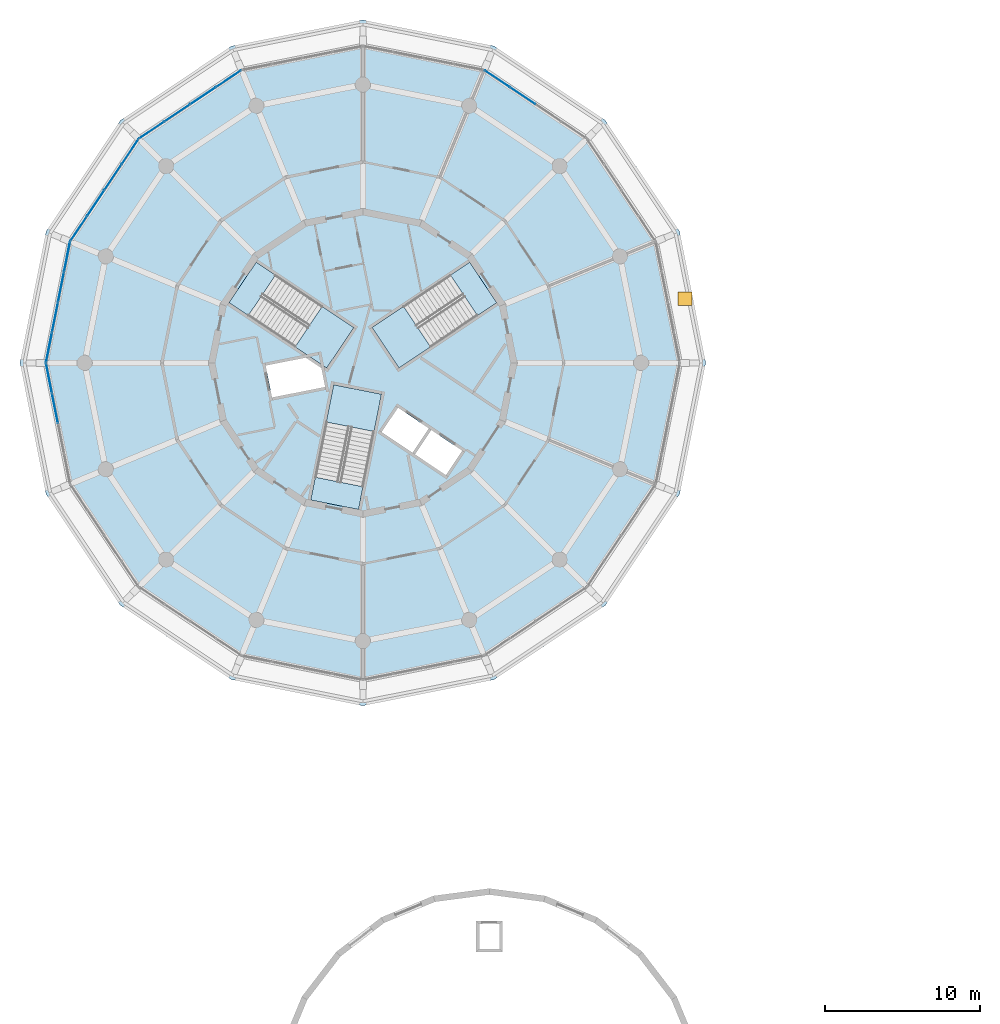
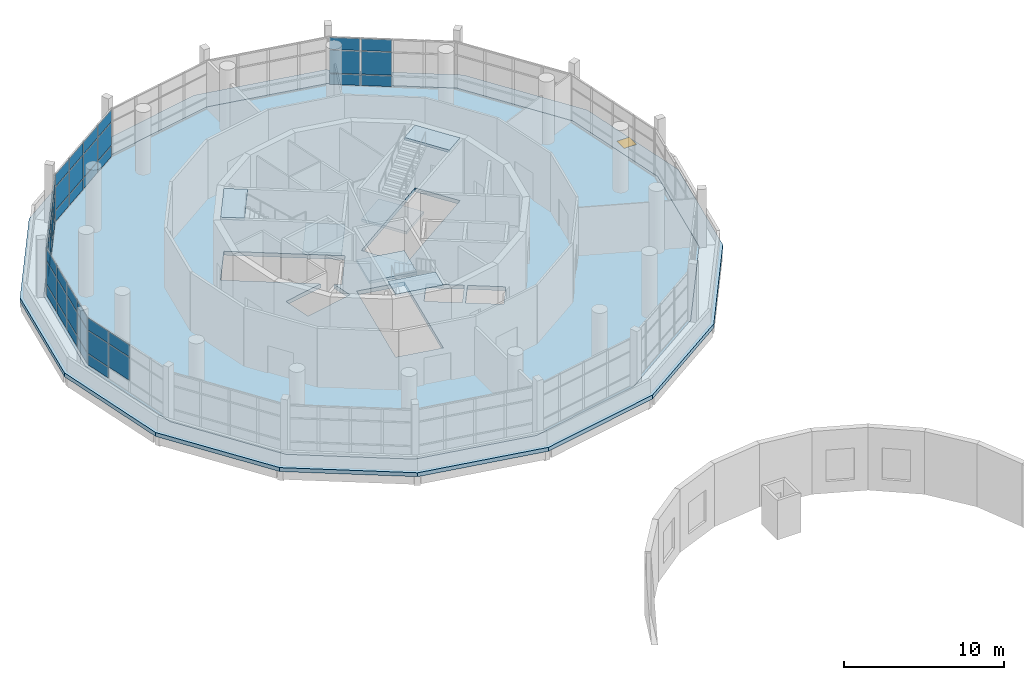
# One storey, part 19 of 40: 47 plates, 8 slabs, 1 window, 1 opening, 8 elements without a shape of their own.
"""IFC4 building model written with IfcOpenShell, lengths in metres."""

from ifc_helpers import new_model, si_unit, direction, frame, origin, origin_2d, place, context, subcontext, project, spatial, polyline, rectangle, outline, extrude, material, layer, layer_set, type_object, element, fill, aggregate, save


model = new_model("IFC4")

# Units and contexts
model_context = context("Model", 3, precision=1e-05, world=origin(), true_north=direction((0.0, 1.0)))
body_context = subcontext(model_context, "Body", "Model", "MODEL_VIEW")
ifc_project = project(units=[si_unit("LENGTHUNIT", "METRE"), si_unit("AREAUNIT", "SQUARE_METRE"), si_unit("VOLUMEUNIT", "CUBIC_METRE"), si_unit("PLANEANGLEUNIT", "RADIAN"), si_unit("MASSUNIT", "GRAM", prefix="KILO")], contexts=[model_context])

# Site, building, storey
site_placement = place(None, origin())
site = spatial("IfcSite", under=ifc_project, at=site_placement, CompositionType="ELEMENT")
building_placement = place(site_placement, origin())
building = spatial("IfcBuilding", under=site, at=building_placement, Name="Ceibo Conservatory and Research Tower", CompositionType="ELEMENT")
storey_placement = place(building_placement, frame((0.0, 0.0, 6.0)))
storey = spatial("IfcBuildingStorey", under=building, at=storey_placement, Name="L01", CompositionType="ELEMENT", Elevation=6.0)

# Stair, slabs
ifc_material_1 = material(Name="Concrete C35/45", Category="concrete")
stair_type = type_object("IfcStairType", Name="Escape stair 171 x 280", PredefinedType="HALF_TURN_STAIR", material=ifc_material_1)
stair_1_placement = place(storey_placement, origin())
stair_1 = element("IfcStair", 1, at=stair_1_placement, inside=storey, type_object=stair_type, Name="Escape stair ST1 01", PredefinedType="HALF_TURN_STAIR")
ifc_layer_1 = layer(ifc_material_1, 0.199951171875)
ifc_layer_set_1 = layer_set([ifc_layer_1], Name="Concrete C35/45")
slab_type_1 = type_object("IfcSlabType", Name="Escape stair landing", PredefinedType="LANDING", material=ifc_layer_set_1)
slab_1_placement = place(storey_placement, frame((50.632080078125, 123.65283203125, 2.199951171875), z_axis=(0.0, 0.0, 1.0), x_axis=(-0.831469612303, -0.55557023302, 0.0)))
slab_1 = element("IfcSlab", 2, at=slab_1_placement, type_object=slab_type_1, Name="ST1 landing 1", PredefinedType="LANDING", context=body_context, shape_type="SweptSolid", body=[
    extrude(outline(polyline([(0.0, 0.0), (2.4599609375, 0.0), (2.4599609375, 3.14990234375), (0.0, 3.14990234375), (0.0, 0.0)])), origin(), (0.0, 0.0, 1.0), 0.199951171875),
])
slab_2_placement = place(storey_placement, frame((54.90576171875, 126.508544921875, 4.60009765625), z_axis=(0.0, 0.0, 1.0), x_axis=(-0.831469612303, -0.55557023302, 0.0)))
slab_2 = element("IfcSlab", 3, at=slab_2_placement, type_object=slab_type_1, Name="ST1 landing 2", PredefinedType="LANDING", context=body_context, shape_type="SweptSolid", body=[
    extrude(outline(polyline([(0.0, 0.0), (1.5, 0.0), (1.5, 3.150146484375), (0.0, 3.150146484375), (0.0, 0.0)])), origin(), (0.0, 0.0, 1.0), 0.199951171875),
])
aggregate(stair_1, [slab_1, slab_2])

stair_2_placement = place(storey_placement, origin())
stair_2 = element("IfcStair", 4, at=stair_2_placement, inside=storey, type_object=stair_type, Name="Escape stair ST2 01", PredefinedType="HALF_TURN_STAIR")
slab_3_placement = place(storey_placement, frame((43.617919921875, 121.03369140625, 2.199951171875), z_axis=(0.0, 0.0, 1.0), x_axis=(0.831469612303, -0.55557023302, 0.0)))
slab_3 = element("IfcSlab", 5, at=slab_3_placement, type_object=slab_type_1, Name="ST2 landing 1", PredefinedType="LANDING", context=body_context, shape_type="SweptSolid", body=[
    extrude(outline(polyline([(0.0, 0.0), (2.4599609375, 0.0), (2.4599609375, 3.14990234375), (0.0, 3.14990234375), (0.0, 0.0)])), origin(), (0.0, 0.0, 1.0), 0.199951171875),
])
slab_4_placement = place(storey_placement, frame((39.34423828125, 123.889404296875, 4.60009765625), z_axis=(0.0, 0.0, 1.0), x_axis=(0.831469612303, -0.55557023302, 0.0)))
slab_4 = element("IfcSlab", 6, at=slab_4_placement, type_object=slab_type_1, Name="ST2 landing 2", PredefinedType="LANDING", context=body_context, shape_type="SweptSolid", body=[
    extrude(outline(polyline([(0.0, 0.0), (1.5, 0.0), (1.5, 3.150146484375), (0.0, 3.150146484375), (0.0, 0.0)])), origin(), (0.0, 0.0, 1.0), 0.199951171875),
])
aggregate(stair_2, [slab_3, slab_4])

stair_3_placement = place(storey_placement, origin())
stair_3 = element("IfcStair", 7, at=stair_3_placement, inside=storey, type_object=stair_type, Name="Escape stair ST3 01", PredefinedType="HALF_TURN_STAIR")
slab_5_placement = place(storey_placement, frame((48.721923828125, 115.555908203125, 2.199951171875), z_axis=(0.0, 0.0, 1.0), x_axis=(0.195090322016, 0.980785280403, 0.0)))
slab_5 = element("IfcSlab", 8, at=slab_5_placement, type_object=slab_type_1, Name="ST3 landing 1", PredefinedType="LANDING", context=body_context, shape_type="SweptSolid", body=[
    extrude(outline(polyline([(0.0, 0.0), (2.460205078125, 0.0), (2.460205078125, 3.150146484375), (0.0, 3.150146484375), (0.0, 0.0)])), origin(), (0.0, 0.0, 1.0), 0.199951171875),
])
slab_6_placement = place(storey_placement, frame((47.718994140625, 110.5146484375, 4.60009765625), z_axis=(0.0, 0.0, 1.0), x_axis=(0.195090322016, 0.980785280403, 0.0)))
slab_6 = element("IfcSlab", 9, at=slab_6_placement, type_object=slab_type_1, Name="ST3 landing 2", PredefinedType="LANDING", context=body_context, shape_type="SweptSolid", body=[
    extrude(outline(polyline([(0.0, 0.0), (1.5, 0.0), (1.5, 3.14990234375), (0.0, 3.14990234375), (0.0, 0.0)])), origin(), (0.0, 0.0, 1.0), 0.199951171875),
])
aggregate(stair_3, [slab_5, slab_6])

# Curtain wall, plates
ifc_material_2 = material(Name="Aluminium and glass", Category="aluminium")
curtain_wall_type = type_object("IfcCurtainWallType", Name="Curtain wall CW1", PredefinedType="NOTDEFINED", material=ifc_material_2)
curtain_wall_1_placement = place(storey_placement, origin())
curtain_wall_1 = element("IfcCurtainWall", 10, at=curtain_wall_1_placement, inside=storey, type_object=curtain_wall_type, Name="CW-01.03", PredefinedType="NOTDEFINED")
ifc_material_3 = material(Name="Glass", Category="glass")
ifc_layer_2 = layer(ifc_material_3, 0.028076171875)
ifc_layer_set_2 = layer_set([ifc_layer_2], Name="Glass")
plate_type = type_object("IfcPlateType", Name="Insulated glass panel 28", PredefinedType="CURTAIN_PANEL", material=ifc_layer_set_2)
plate_1_placement = place(storey_placement, frame((58.339111328125, 137.273193359375, 0.06005859375), z_axis=(0.0, 0.0, 1.0), x_axis=(-0.831469649004, 0.555570178092, 0.0)))
plate_1 = element("IfcPlate", 11, at=plate_1_placement, type_object=plate_type, Name="CW-01.03 panel 3.1", PredefinedType="CURTAIN_PANEL", context=body_context, shape_type="SweptSolid", body=[
    extrude(rectangle(XDim=1.939697265625, YDim=0.028076171875, at=origin_2d()), origin(), (0.0, 0.0, 1.0), 0.81005859375),
])
plate_2_placement = place(storey_placement, frame((58.339111328125, 137.273193359375, 0.93017578125), z_axis=(0.0, 0.0, 1.0), x_axis=(-0.831469649004, 0.555570178092, 0.0)))
plate_2 = element("IfcPlate", 12, at=plate_2_placement, type_object=plate_type, Name="CW-01.03 panel 3.2", PredefinedType="CURTAIN_PANEL", context=body_context, shape_type="SweptSolid", body=[
    extrude(rectangle(XDim=1.939697265625, YDim=0.028076171875, at=origin_2d()), origin(), (0.0, 0.0, 1.0), 1.739990234375),
])
plate_3_placement = place(storey_placement, frame((58.339111328125, 137.273193359375, 2.72998046875), z_axis=(0.0, 0.0, 1.0), x_axis=(-0.831469649004, 0.555570178092, 0.0)))
plate_3 = element("IfcPlate", 13, at=plate_3_placement, type_object=plate_type, Name="CW-01.03 panel 3.3", PredefinedType="CURTAIN_PANEL", context=body_context, shape_type="SweptSolid", body=[
    extrude(rectangle(XDim=1.939697265625, YDim=0.028076171875, at=origin_2d()), origin(), (0.0, 0.0, 1.0), 0.909912109375),
])
plate_4_placement = place(storey_placement, frame((56.688720703125, 138.375732421875, 0.06005859375), z_axis=(0.0, 0.0, 1.0), x_axis=(-0.831469649004, 0.555570178092, 0.0)))
plate_4 = element("IfcPlate", 14, at=plate_4_placement, type_object=plate_type, Name="CW-01.03 panel 4.1", PredefinedType="CURTAIN_PANEL", context=body_context, shape_type="SweptSolid", body=[
    extrude(rectangle(XDim=1.90966796875, YDim=0.028076171875, at=origin_2d()), origin(), (0.0, 0.0, 1.0), 0.81005859375),
])
plate_5_placement = place(storey_placement, frame((56.688720703125, 138.375732421875, 0.93017578125), z_axis=(0.0, 0.0, 1.0), x_axis=(-0.831469649004, 0.555570178092, 0.0)))
plate_5 = element("IfcPlate", 15, at=plate_5_placement, type_object=plate_type, Name="CW-01.03 panel 4.2", PredefinedType="CURTAIN_PANEL", context=body_context, shape_type="SweptSolid", body=[
    extrude(rectangle(XDim=1.90966796875, YDim=0.028076171875, at=origin_2d()), origin(), (0.0, 0.0, 1.0), 1.739990234375),
])
plate_6_placement = place(storey_placement, frame((56.688720703125, 138.375732421875, 2.72998046875), z_axis=(0.0, 0.0, 1.0), x_axis=(-0.831469649004, 0.555570178092, 0.0)))
plate_6 = element("IfcPlate", 16, at=plate_6_placement, type_object=plate_type, Name="CW-01.03 panel 4.3", PredefinedType="CURTAIN_PANEL", context=body_context, shape_type="SweptSolid", body=[
    extrude(rectangle(XDim=1.90966796875, YDim=0.028076171875, at=origin_2d()), origin(), (0.0, 0.0, 1.0), 0.909912109375),
])
aggregate(curtain_wall_1, [plate_1, plate_2, plate_3, plate_4, plate_5, plate_6])

curtain_wall_2_placement = place(storey_placement, origin())
curtain_wall_2 = element("IfcCurtainWall", 17, at=curtain_wall_2_placement, inside=storey, type_object=curtain_wall_type, Name="CW-01.06", PredefinedType="NOTDEFINED")
plate_7_placement = place(storey_placement, frame((39.311279296875, 138.375732421875, 0.06005859375), z_axis=(0.0, 0.0, 1.0), x_axis=(-0.831469649004, -0.555570178092, 0.0)))
plate_7 = element("IfcPlate", 18, at=plate_7_placement, type_object=plate_type, Name="CW-01.06 panel 1.1", PredefinedType="CURTAIN_PANEL", context=body_context, shape_type="SweptSolid", body=[
    extrude(rectangle(XDim=1.90966796875, YDim=0.028076171875, at=origin_2d()), origin(), (0.0, 0.0, 1.0), 0.81005859375),
])
plate_8_placement = place(storey_placement, frame((39.311279296875, 138.375732421875, 0.93017578125), z_axis=(0.0, 0.0, 1.0), x_axis=(-0.831469649004, -0.555570178092, 0.0)))
plate_8 = element("IfcPlate", 19, at=plate_8_placement, type_object=plate_type, Name="CW-01.06 panel 1.2", PredefinedType="CURTAIN_PANEL", context=body_context, shape_type="SweptSolid", body=[
    extrude(rectangle(XDim=1.90966796875, YDim=0.028076171875, at=origin_2d()), origin(), (0.0, 0.0, 1.0), 1.739990234375),
])
plate_9_placement = place(storey_placement, frame((39.311279296875, 138.375732421875, 2.72998046875), z_axis=(0.0, 0.0, 1.0), x_axis=(-0.831469649004, -0.555570178092, 0.0)))
plate_9 = element("IfcPlate", 20, at=plate_9_placement, type_object=plate_type, Name="CW-01.06 panel 1.3", PredefinedType="CURTAIN_PANEL", context=body_context, shape_type="SweptSolid", body=[
    extrude(rectangle(XDim=1.90966796875, YDim=0.028076171875, at=origin_2d()), origin(), (0.0, 0.0, 1.0), 0.909912109375),
])
plate_10_placement = place(storey_placement, frame((37.660888671875, 137.273193359375, 0.06005859375), z_axis=(0.0, 0.0, 1.0), x_axis=(-0.831469649004, -0.555570178092, 0.0)))
plate_10 = element("IfcPlate", 21, at=plate_10_placement, type_object=plate_type, Name="CW-01.06 panel 2.1", PredefinedType="CURTAIN_PANEL", context=body_context, shape_type="SweptSolid", body=[
    extrude(rectangle(XDim=1.939697265625, YDim=0.028076171875, at=origin_2d()), origin(), (0.0, 0.0, 1.0), 0.81005859375),
])
plate_11_placement = place(storey_placement, frame((37.660888671875, 137.273193359375, 0.93017578125), z_axis=(0.0, 0.0, 1.0), x_axis=(-0.831469649004, -0.555570178092, 0.0)))
plate_11 = element("IfcPlate", 22, at=plate_11_placement, type_object=plate_type, Name="CW-01.06 panel 2.2", PredefinedType="CURTAIN_PANEL", context=body_context, shape_type="SweptSolid", body=[
    extrude(rectangle(XDim=1.939697265625, YDim=0.028076171875, at=origin_2d()), origin(), (0.0, 0.0, 1.0), 1.739990234375),
])
plate_12_placement = place(storey_placement, frame((37.660888671875, 137.273193359375, 2.72998046875), z_axis=(0.0, 0.0, 1.0), x_axis=(-0.831469649004, -0.555570178092, 0.0)))
plate_12 = element("IfcPlate", 23, at=plate_12_placement, type_object=plate_type, Name="CW-01.06 panel 2.3", PredefinedType="CURTAIN_PANEL", context=body_context, shape_type="SweptSolid", body=[
    extrude(rectangle(XDim=1.939697265625, YDim=0.028076171875, at=origin_2d()), origin(), (0.0, 0.0, 1.0), 0.909912109375),
])
plate_13_placement = place(storey_placement, frame((35.998291015625, 136.162109375, 0.06005859375), z_axis=(0.0, 0.0, 1.0), x_axis=(-0.831469649004, -0.555570178092, 0.0)))
plate_13 = element("IfcPlate", 24, at=plate_13_placement, type_object=plate_type, Name="CW-01.06 panel 3.1", PredefinedType="CURTAIN_PANEL", context=body_context, shape_type="SweptSolid", body=[
    extrude(rectangle(XDim=1.939697265625, YDim=0.028076171875, at=origin_2d()), origin(), (0.0, 0.0, 1.0), 0.81005859375),
])
plate_14_placement = place(storey_placement, frame((35.998291015625, 136.162109375, 0.93017578125), z_axis=(0.0, 0.0, 1.0), x_axis=(-0.831469649004, -0.555570178092, 0.0)))
plate_14 = element("IfcPlate", 25, at=plate_14_placement, type_object=plate_type, Name="CW-01.06 panel 3.2", PredefinedType="CURTAIN_PANEL", context=body_context, shape_type="SweptSolid", body=[
    extrude(rectangle(XDim=1.939697265625, YDim=0.028076171875, at=origin_2d()), origin(), (0.0, 0.0, 1.0), 1.739990234375),
])
plate_15_placement = place(storey_placement, frame((35.998291015625, 136.162109375, 2.72998046875), z_axis=(0.0, 0.0, 1.0), x_axis=(-0.831469649004, -0.555570178092, 0.0)))
plate_15 = element("IfcPlate", 26, at=plate_15_placement, type_object=plate_type, Name="CW-01.06 panel 3.3", PredefinedType="CURTAIN_PANEL", context=body_context, shape_type="SweptSolid", body=[
    extrude(rectangle(XDim=1.939697265625, YDim=0.028076171875, at=origin_2d()), origin(), (0.0, 0.0, 1.0), 0.909912109375),
])
plate_16_placement = place(storey_placement, frame((34.34814453125, 135.0595703125, 0.06005859375), z_axis=(0.0, 0.0, 1.0), x_axis=(-0.831469649004, -0.555570178092, 0.0)))
plate_16 = element("IfcPlate", 27, at=plate_16_placement, type_object=plate_type, Name="CW-01.06 panel 4.1", PredefinedType="CURTAIN_PANEL", context=body_context, shape_type="SweptSolid", body=[
    extrude(rectangle(XDim=1.90966796875, YDim=0.028076171875, at=origin_2d()), origin(), (0.0, 0.0, 1.0), 0.81005859375),
])
plate_17_placement = place(storey_placement, frame((34.34814453125, 135.0595703125, 0.93017578125), z_axis=(0.0, 0.0, 1.0), x_axis=(-0.831469649004, -0.555570178092, 0.0)))
plate_17 = element("IfcPlate", 28, at=plate_17_placement, type_object=plate_type, Name="CW-01.06 panel 4.2", PredefinedType="CURTAIN_PANEL", context=body_context, shape_type="SweptSolid", body=[
    extrude(rectangle(XDim=1.90966796875, YDim=0.028076171875, at=origin_2d()), origin(), (0.0, 0.0, 1.0), 1.739990234375),
])
plate_18_placement = place(storey_placement, frame((34.34814453125, 135.0595703125, 2.72998046875), z_axis=(0.0, 0.0, 1.0), x_axis=(-0.831469649004, -0.555570178092, 0.0)))
plate_18 = element("IfcPlate", 29, at=plate_18_placement, type_object=plate_type, Name="CW-01.06 panel 4.3", PredefinedType="CURTAIN_PANEL", context=body_context, shape_type="SweptSolid", body=[
    extrude(rectangle(XDim=1.90966796875, YDim=0.028076171875, at=origin_2d()), origin(), (0.0, 0.0, 1.0), 0.909912109375),
])
aggregate(curtain_wall_2, [plate_7, plate_8, plate_9, plate_10, plate_11, plate_12, plate_13, plate_14, plate_15, plate_16, plate_17, plate_18])

curtain_wall_3_placement = place(storey_placement, origin())
curtain_wall_3 = element("IfcCurtainWall", 30, at=curtain_wall_3_placement, inside=storey, type_object=curtain_wall_type, Name="CW-01.07", PredefinedType="NOTDEFINED")
plate_19_placement = place(storey_placement, frame((32.9404296875, 133.65185546875, 0.06005859375), z_axis=(0.0, 0.0, 1.0), x_axis=(-0.555570178092, -0.831469649004, 0.0)))
plate_19 = element("IfcPlate", 31, at=plate_19_placement, type_object=plate_type, Name="CW-01.07 panel 1.1", PredefinedType="CURTAIN_PANEL", context=body_context, shape_type="SweptSolid", body=[
    extrude(rectangle(XDim=1.90966796875, YDim=0.028076171875, at=origin_2d()), origin(), (0.0, 0.0, 1.0), 0.81005859375),
])
plate_20_placement = place(storey_placement, frame((32.9404296875, 133.65185546875, 0.93017578125), z_axis=(0.0, 0.0, 1.0), x_axis=(-0.555570178092, -0.831469649004, 0.0)))
plate_20 = element("IfcPlate", 32, at=plate_20_placement, type_object=plate_type, Name="CW-01.07 panel 1.2", PredefinedType="CURTAIN_PANEL", context=body_context, shape_type="SweptSolid", body=[
    extrude(rectangle(XDim=1.90966796875, YDim=0.028076171875, at=origin_2d()), origin(), (0.0, 0.0, 1.0), 1.739990234375),
])
plate_21_placement = place(storey_placement, frame((32.9404296875, 133.65185546875, 2.72998046875), z_axis=(0.0, 0.0, 1.0), x_axis=(-0.555570178092, -0.831469649004, 0.0)))
plate_21 = element("IfcPlate", 33, at=plate_21_placement, type_object=plate_type, Name="CW-01.07 panel 1.3", PredefinedType="CURTAIN_PANEL", context=body_context, shape_type="SweptSolid", body=[
    extrude(rectangle(XDim=1.90966796875, YDim=0.028076171875, at=origin_2d()), origin(), (0.0, 0.0, 1.0), 0.909912109375),
])
plate_22_placement = place(storey_placement, frame((31.837890625, 132.001708984375, 0.06005859375), z_axis=(0.0, 0.0, 1.0), x_axis=(-0.555570178092, -0.831469649004, 0.0)))
plate_22 = element("IfcPlate", 34, at=plate_22_placement, type_object=plate_type, Name="CW-01.07 panel 2.1", PredefinedType="CURTAIN_PANEL", context=body_context, shape_type="SweptSolid", body=[
    extrude(rectangle(XDim=1.939697265625, YDim=0.028076171875, at=origin_2d()), origin(), (0.0, 0.0, 1.0), 0.81005859375),
])
plate_23_placement = place(storey_placement, frame((31.837890625, 132.001708984375, 0.93017578125), z_axis=(0.0, 0.0, 1.0), x_axis=(-0.555570178092, -0.831469649004, 0.0)))
plate_23 = element("IfcPlate", 35, at=plate_23_placement, type_object=plate_type, Name="CW-01.07 panel 2.2", PredefinedType="CURTAIN_PANEL", context=body_context, shape_type="SweptSolid", body=[
    extrude(rectangle(XDim=1.939697265625, YDim=0.028076171875, at=origin_2d()), origin(), (0.0, 0.0, 1.0), 1.739990234375),
])
plate_24_placement = place(storey_placement, frame((31.837890625, 132.001708984375, 2.72998046875), z_axis=(0.0, 0.0, 1.0), x_axis=(-0.555570178092, -0.831469649004, 0.0)))
plate_24 = element("IfcPlate", 36, at=plate_24_placement, type_object=plate_type, Name="CW-01.07 panel 2.3", PredefinedType="CURTAIN_PANEL", context=body_context, shape_type="SweptSolid", body=[
    extrude(rectangle(XDim=1.939697265625, YDim=0.028076171875, at=origin_2d()), origin(), (0.0, 0.0, 1.0), 0.909912109375),
])
plate_25_placement = place(storey_placement, frame((30.726806640625, 130.339111328125, 0.06005859375), z_axis=(0.0, 0.0, 1.0), x_axis=(-0.555570178092, -0.831469649004, 0.0)))
plate_25 = element("IfcPlate", 37, at=plate_25_placement, type_object=plate_type, Name="CW-01.07 panel 3.1", PredefinedType="CURTAIN_PANEL", context=body_context, shape_type="SweptSolid", body=[
    extrude(rectangle(XDim=1.939697265625, YDim=0.028076171875, at=origin_2d()), origin(), (0.0, 0.0, 1.0), 0.81005859375),
])
plate_26_placement = place(storey_placement, frame((30.726806640625, 130.339111328125, 0.93017578125), z_axis=(0.0, 0.0, 1.0), x_axis=(-0.555570178092, -0.831469649004, 0.0)))
plate_26 = element("IfcPlate", 38, at=plate_26_placement, type_object=plate_type, Name="CW-01.07 panel 3.2", PredefinedType="CURTAIN_PANEL", context=body_context, shape_type="SweptSolid", body=[
    extrude(rectangle(XDim=1.939697265625, YDim=0.028076171875, at=origin_2d()), origin(), (0.0, 0.0, 1.0), 1.739990234375),
])
plate_27_placement = place(storey_placement, frame((30.726806640625, 130.339111328125, 2.72998046875), z_axis=(0.0, 0.0, 1.0), x_axis=(-0.555570178092, -0.831469649004, 0.0)))
plate_27 = element("IfcPlate", 39, at=plate_27_placement, type_object=plate_type, Name="CW-01.07 panel 3.3", PredefinedType="CURTAIN_PANEL", context=body_context, shape_type="SweptSolid", body=[
    extrude(rectangle(XDim=1.939697265625, YDim=0.028076171875, at=origin_2d()), origin(), (0.0, 0.0, 1.0), 0.909912109375),
])
plate_28_placement = place(storey_placement, frame((29.624267578125, 128.688720703125, 0.06005859375), z_axis=(0.0, 0.0, 1.0), x_axis=(-0.555570178092, -0.831469649004, 0.0)))
plate_28 = element("IfcPlate", 40, at=plate_28_placement, type_object=plate_type, Name="CW-01.07 panel 4.1", PredefinedType="CURTAIN_PANEL", context=body_context, shape_type="SweptSolid", body=[
    extrude(rectangle(XDim=1.90966796875, YDim=0.028076171875, at=origin_2d()), origin(), (0.0, 0.0, 1.0), 0.81005859375),
])
plate_29_placement = place(storey_placement, frame((29.624267578125, 128.688720703125, 0.93017578125), z_axis=(0.0, 0.0, 1.0), x_axis=(-0.555570178092, -0.831469649004, 0.0)))
plate_29 = element("IfcPlate", 41, at=plate_29_placement, type_object=plate_type, Name="CW-01.07 panel 4.2", PredefinedType="CURTAIN_PANEL", context=body_context, shape_type="SweptSolid", body=[
    extrude(rectangle(XDim=1.90966796875, YDim=0.028076171875, at=origin_2d()), origin(), (0.0, 0.0, 1.0), 1.739990234375),
])
plate_30_placement = place(storey_placement, frame((29.624267578125, 128.688720703125, 2.72998046875), z_axis=(0.0, 0.0, 1.0), x_axis=(-0.555570178092, -0.831469649004, 0.0)))
plate_30 = element("IfcPlate", 42, at=plate_30_placement, type_object=plate_type, Name="CW-01.07 panel 4.3", PredefinedType="CURTAIN_PANEL", context=body_context, shape_type="SweptSolid", body=[
    extrude(rectangle(XDim=1.90966796875, YDim=0.028076171875, at=origin_2d()), origin(), (0.0, 0.0, 1.0), 0.909912109375),
])
aggregate(curtain_wall_3, [plate_19, plate_20, plate_21, plate_22, plate_23, plate_24, plate_25, plate_26, plate_27, plate_28, plate_29, plate_30])

curtain_wall_4_placement = place(storey_placement, origin())
curtain_wall_4 = element("IfcCurtainWall", 43, at=curtain_wall_4_placement, inside=storey, type_object=curtain_wall_type, Name="CW-01.08", PredefinedType="NOTDEFINED")
plate_31_placement = place(storey_placement, frame((28.862548828125, 126.849609375, 0.06005859375), z_axis=(0.0, 0.0, 1.0), x_axis=(-0.195090380799, -0.980785268711, 0.0)))
plate_31 = element("IfcPlate", 44, at=plate_31_placement, type_object=plate_type, Name="CW-01.08 panel 1.1", PredefinedType="CURTAIN_PANEL", context=body_context, shape_type="SweptSolid", body=[
    extrude(rectangle(XDim=1.90966796875, YDim=0.028076171875, at=origin_2d()), origin(), (0.0, 0.0, 1.0), 0.81005859375),
])
plate_32_placement = place(storey_placement, frame((28.862548828125, 126.849609375, 0.93017578125), z_axis=(0.0, 0.0, 1.0), x_axis=(-0.195090380799, -0.980785268711, 0.0)))
plate_32 = element("IfcPlate", 45, at=plate_32_placement, type_object=plate_type, Name="CW-01.08 panel 1.2", PredefinedType="CURTAIN_PANEL", context=body_context, shape_type="SweptSolid", body=[
    extrude(rectangle(XDim=1.90966796875, YDim=0.028076171875, at=origin_2d()), origin(), (0.0, 0.0, 1.0), 1.739990234375),
])
plate_33_placement = place(storey_placement, frame((28.862548828125, 126.849609375, 2.72998046875), z_axis=(0.0, 0.0, 1.0), x_axis=(-0.195090380799, -0.980785268711, 0.0)))
plate_33 = element("IfcPlate", 46, at=plate_33_placement, type_object=plate_type, Name="CW-01.08 panel 1.3", PredefinedType="CURTAIN_PANEL", context=body_context, shape_type="SweptSolid", body=[
    extrude(rectangle(XDim=1.90966796875, YDim=0.028076171875, at=origin_2d()), origin(), (0.0, 0.0, 1.0), 0.909912109375),
])
plate_34_placement = place(storey_placement, frame((28.475341796875, 124.903076171875, 0.06005859375), z_axis=(0.0, 0.0, 1.0), x_axis=(-0.195090380799, -0.980785268711, 0.0)))
plate_34 = element("IfcPlate", 47, at=plate_34_placement, type_object=plate_type, Name="CW-01.08 panel 2.1", PredefinedType="CURTAIN_PANEL", context=body_context, shape_type="SweptSolid", body=[
    extrude(rectangle(XDim=1.939697265625, YDim=0.028076171875, at=origin_2d()), origin(), (0.0, 0.0, 1.0), 0.81005859375),
])
plate_35_placement = place(storey_placement, frame((28.475341796875, 124.903076171875, 0.93017578125), z_axis=(0.0, 0.0, 1.0), x_axis=(-0.195090380799, -0.980785268711, 0.0)))
plate_35 = element("IfcPlate", 48, at=plate_35_placement, type_object=plate_type, Name="CW-01.08 panel 2.2", PredefinedType="CURTAIN_PANEL", context=body_context, shape_type="SweptSolid", body=[
    extrude(rectangle(XDim=1.939697265625, YDim=0.028076171875, at=origin_2d()), origin(), (0.0, 0.0, 1.0), 1.739990234375),
])
plate_36_placement = place(storey_placement, frame((28.475341796875, 124.903076171875, 2.72998046875), z_axis=(0.0, 0.0, 1.0), x_axis=(-0.195090380799, -0.980785268711, 0.0)))
plate_36 = element("IfcPlate", 49, at=plate_36_placement, type_object=plate_type, Name="CW-01.08 panel 2.3", PredefinedType="CURTAIN_PANEL", context=body_context, shape_type="SweptSolid", body=[
    extrude(rectangle(XDim=1.939697265625, YDim=0.028076171875, at=origin_2d()), origin(), (0.0, 0.0, 1.0), 0.909912109375),
])
plate_37_placement = place(storey_placement, frame((28.085205078125, 122.94189453125, 0.06005859375), z_axis=(0.0, 0.0, 1.0), x_axis=(-0.195090380799, -0.980785268711, 0.0)))
plate_37 = element("IfcPlate", 50, at=plate_37_placement, type_object=plate_type, Name="CW-01.08 panel 3.1", PredefinedType="CURTAIN_PANEL", context=body_context, shape_type="SweptSolid", body=[
    extrude(rectangle(XDim=1.939697265625, YDim=0.028076171875, at=origin_2d()), origin(), (0.0, 0.0, 1.0), 0.81005859375),
])
plate_38_placement = place(storey_placement, frame((28.085205078125, 122.94189453125, 0.93017578125), z_axis=(0.0, 0.0, 1.0), x_axis=(-0.195090380799, -0.980785268711, 0.0)))
plate_38 = element("IfcPlate", 51, at=plate_38_placement, type_object=plate_type, Name="CW-01.08 panel 3.2", PredefinedType="CURTAIN_PANEL", context=body_context, shape_type="SweptSolid", body=[
    extrude(rectangle(XDim=1.939697265625, YDim=0.028076171875, at=origin_2d()), origin(), (0.0, 0.0, 1.0), 1.739990234375),
])
plate_39_placement = place(storey_placement, frame((28.085205078125, 122.94189453125, 2.72998046875), z_axis=(0.0, 0.0, 1.0), x_axis=(-0.195090380799, -0.980785268711, 0.0)))
plate_39 = element("IfcPlate", 52, at=plate_39_placement, type_object=plate_type, Name="CW-01.08 panel 3.3", PredefinedType="CURTAIN_PANEL", context=body_context, shape_type="SweptSolid", body=[
    extrude(rectangle(XDim=1.939697265625, YDim=0.028076171875, at=origin_2d()), origin(), (0.0, 0.0, 1.0), 0.909912109375),
])
plate_40_placement = place(storey_placement, frame((27.697998046875, 120.995361328125, 0.06005859375), z_axis=(0.0, 0.0, 1.0), x_axis=(-0.195090380799, -0.980785268711, 0.0)))
plate_40 = element("IfcPlate", 53, at=plate_40_placement, type_object=plate_type, Name="CW-01.08 panel 4.1", PredefinedType="CURTAIN_PANEL", context=body_context, shape_type="SweptSolid", body=[
    extrude(rectangle(XDim=1.90966796875, YDim=0.028076171875, at=origin_2d()), origin(), (0.0, 0.0, 1.0), 0.81005859375),
])
plate_41_placement = place(storey_placement, frame((27.697998046875, 120.995361328125, 0.93017578125), z_axis=(0.0, 0.0, 1.0), x_axis=(-0.195090380799, -0.980785268711, 0.0)))
plate_41 = element("IfcPlate", 54, at=plate_41_placement, type_object=plate_type, Name="CW-01.08 panel 4.2", PredefinedType="CURTAIN_PANEL", context=body_context, shape_type="SweptSolid", body=[
    extrude(rectangle(XDim=1.90966796875, YDim=0.028076171875, at=origin_2d()), origin(), (0.0, 0.0, 1.0), 1.739990234375),
])
plate_42_placement = place(storey_placement, frame((27.697998046875, 120.995361328125, 2.72998046875), z_axis=(0.0, 0.0, 1.0), x_axis=(-0.195090380799, -0.980785268711, 0.0)))
plate_42 = element("IfcPlate", 55, at=plate_42_placement, type_object=plate_type, Name="CW-01.08 panel 4.3", PredefinedType="CURTAIN_PANEL", context=body_context, shape_type="SweptSolid", body=[
    extrude(rectangle(XDim=1.90966796875, YDim=0.028076171875, at=origin_2d()), origin(), (0.0, 0.0, 1.0), 0.909912109375),
])
aggregate(curtain_wall_4, [plate_31, plate_32, plate_33, plate_34, plate_35, plate_36, plate_37, plate_38, plate_39, plate_40, plate_41, plate_42])

curtain_wall_5_placement = place(storey_placement, origin())
curtain_wall_5 = element("IfcCurtainWall", 56, at=curtain_wall_5_placement, inside=storey, type_object=curtain_wall_type, Name="CW-01.09", PredefinedType="NOTDEFINED")
plate_43_placement = place(storey_placement, frame((27.697998046875, 119.004638671875, 0.06005859375), z_axis=(0.0, 0.0, 1.0), x_axis=(0.195090380799, -0.980785268711, 0.0)))
plate_43 = element("IfcPlate", 57, at=plate_43_placement, type_object=plate_type, Name="CW-01.09 panel 1.1", PredefinedType="CURTAIN_PANEL", context=body_context, shape_type="SweptSolid", body=[
    extrude(rectangle(XDim=1.90966796875, YDim=0.028076171875, at=origin_2d()), origin(), (0.0, 0.0, 1.0), 0.81005859375),
])
plate_44_placement = place(storey_placement, frame((27.697998046875, 119.004638671875, 0.93017578125), z_axis=(0.0, 0.0, 1.0), x_axis=(0.195090380799, -0.980785268711, 0.0)))
plate_44 = element("IfcPlate", 58, at=plate_44_placement, type_object=plate_type, Name="CW-01.09 panel 1.2", PredefinedType="CURTAIN_PANEL", context=body_context, shape_type="SweptSolid", body=[
    extrude(rectangle(XDim=1.90966796875, YDim=0.028076171875, at=origin_2d()), origin(), (0.0, 0.0, 1.0), 1.739990234375),
])
plate_45_placement = place(storey_placement, frame((27.697998046875, 119.004638671875, 2.72998046875), z_axis=(0.0, 0.0, 1.0), x_axis=(0.195090380799, -0.980785268711, 0.0)))
plate_45 = element("IfcPlate", 59, at=plate_45_placement, type_object=plate_type, Name="CW-01.09 panel 1.3", PredefinedType="CURTAIN_PANEL", context=body_context, shape_type="SweptSolid", body=[
    extrude(rectangle(XDim=1.90966796875, YDim=0.028076171875, at=origin_2d()), origin(), (0.0, 0.0, 1.0), 0.909912109375),
])
plate_46_placement = place(storey_placement, frame((28.085205078125, 117.05810546875, 0.93017578125), z_axis=(0.0, 0.0, 1.0), x_axis=(0.195090380799, -0.980785268711, 0.0)))
plate_46 = element("IfcPlate", 60, at=plate_46_placement, type_object=plate_type, Name="CW-01.09 panel 2.2", PredefinedType="CURTAIN_PANEL", context=body_context, shape_type="SweptSolid", body=[
    extrude(rectangle(XDim=1.939697265625, YDim=0.028076171875, at=origin_2d()), origin(), (0.0, 0.0, 1.0), 1.739990234375),
])
plate_47_placement = place(storey_placement, frame((28.085205078125, 117.05810546875, 2.72998046875), z_axis=(0.0, 0.0, 1.0), x_axis=(0.195090380799, -0.980785268711, 0.0)))
plate_47 = element("IfcPlate", 61, at=plate_47_placement, type_object=plate_type, Name="CW-01.09 panel 2.3", PredefinedType="CURTAIN_PANEL", context=body_context, shape_type="SweptSolid", body=[
    extrude(rectangle(XDim=1.939697265625, YDim=0.028076171875, at=origin_2d()), origin(), (0.0, 0.0, 1.0), 0.909912109375),
])
aggregate(curtain_wall_5, [plate_43, plate_44, plate_45, plate_46, plate_47])

# Slab
ifc_layer_3 = layer(ifc_material_1, 0.300048828125)
ifc_layer_set_3 = layer_set([ifc_layer_3], Name="Concrete C35/45")
slab_type_2 = type_object("IfcSlabType", Name="RC floor slab 300", PredefinedType="FLOOR", material=ifc_layer_set_3)
slab_7_placement = place(storey_placement, frame((0.0, 0.0, -0.300048828125)))
element("IfcSlab", 62, at=slab_7_placement, inside=storey, type_object=slab_type_2, Name="Floor slab L01", PredefinedType="FLOOR", context=body_context, shape_type="SweptSolid", body=[
    extrude(outline(polyline([(68.678466796875, 120.0), (67.1044921875, 127.913330078125), (62.621826171875, 134.621826171875), (55.913330078125, 139.1044921875), (48.0, 140.678466796875), (40.086669921875, 139.1044921875), (33.378173828125, 134.621826171875), (28.8955078125, 127.913330078125), (27.321533203125, 120.0), (28.8955078125, 112.086669921875), (33.378173828125, 105.378173828125), (40.086669921875, 100.8955078125), (48.0, 99.321533203125), (55.913330078125, 100.8955078125), (62.621826171875, 105.378173828125), (67.1044921875, 112.086669921875), (68.678466796875, 120.0)]), holes=[polyline([(52.43310546875, 115.65478515625), (51.37744140625, 114.074951171875), (53.373046875, 112.74169921875), (54.428466796875, 114.321533203125), (52.43310546875, 115.65478515625)]), polyline([(47.718994140625, 110.5146484375), (49.201904296875, 117.96875), (46.1123046875, 118.583251953125), (44.629638671875, 111.129150390625), (47.718994140625, 110.5146484375)]), polyline([(52.266845703125, 115.765869140625), (50.271240234375, 117.099365234375), (49.215576171875, 115.51953125), (51.211181640625, 114.18603515625), (52.266845703125, 115.765869140625)]), polyline([(42.1240234375, 117.760498046875), (45.556640625, 118.443359375), (45.259521484375, 119.936767578125), (45.663330078125, 119.6669921875), (47.413330078125, 122.2861328125), (41.09423828125, 126.508544921875), (39.34423828125, 123.889404296875), (44.58056640625, 120.390380859375), (41.71435546875, 119.8203125), (42.1240234375, 117.760498046875)]), polyline([(54.90576171875, 126.508544921875), (48.586669921875, 122.2861328125), (50.336669921875, 119.6669921875), (56.65576171875, 123.889404296875), (54.90576171875, 126.508544921875)])]), origin(), (0.0, 0.0, 1.0), 0.300048828125),
])

# Slab, opening, window
ifc_layer_4 = layer(ifc_material_1, 0.300048828125)
ifc_layer_set_4 = layer_set([ifc_layer_4], Name="Concrete C35/45")
slab_type_3 = type_object("IfcSlabType", Name="RC terrace slab 300", PredefinedType="ROOF", material=ifc_layer_set_4)
slab_8_placement = place(storey_placement, frame((0.0, 0.0, -0.300048828125)))
slab_8 = element("IfcSlab", 63, at=slab_8_placement, inside=storey, type_object=slab_type_3, Name="Ledge slab L01", PredefinedType="ROOF", context=body_context, shape_type="SweptSolid", body=[
    extrude(outline(polyline([(70.178466796875, 120.0), (68.490234375, 128.4873046875), (63.6826171875, 135.6826171875), (56.4873046875, 140.490234375), (48.0, 142.178466796875), (39.5126953125, 140.490234375), (32.3173828125, 135.6826171875), (27.509765625, 128.4873046875), (25.821533203125, 120.0), (27.509765625, 111.5126953125), (32.3173828125, 104.3173828125), (39.5126953125, 99.509765625), (48.0, 97.821533203125), (56.4873046875, 99.509765625), (63.6826171875, 104.3173828125), (68.490234375, 111.5126953125), (70.178466796875, 120.0)]), holes=[polyline([(68.678466796875, 120.0), (67.1044921875, 127.913330078125), (62.621826171875, 134.621826171875), (55.913330078125, 139.1044921875), (48.0, 140.678466796875), (40.086669921875, 139.1044921875), (33.378173828125, 134.621826171875), (28.8955078125, 127.913330078125), (27.321533203125, 120.0), (28.8955078125, 112.086669921875), (33.378173828125, 105.378173828125), (40.086669921875, 100.8955078125), (48.0, 99.321533203125), (55.913330078125, 100.8955078125), (62.621826171875, 105.378173828125), (67.1044921875, 112.086669921875), (68.678466796875, 120.0)])]), origin(), (0.0, 0.0, 1.0), 0.300048828125),
])
opening_placement = place(slab_8_placement, frame((68.841796875, 124.145751953125, 0.0)))
opening = element("IfcOpeningElement", 64, at=opening_placement, cuts=slab_8, Name="Opening RH1", PredefinedType="OPENING", context=body_context, shape_type="SweptSolid", body=[
    extrude(rectangle(XDim=0.89990234375, YDim=0.89990234375, at=origin_2d()), origin(), (0.0, 0.0, 1.0), 0.300048828125),
])
window_type = type_object("IfcWindowType", Name="Roof access hatch 900 x 900", PartitioningType="SINGLE_PANEL", PredefinedType="SKYLIGHT", material=ifc_material_2)
window_placement = place(opening_placement, frame((0.0, 0.0, 0.25)))
window = element("IfcWindow", 65, at=window_placement, inside=storey, type_object=window_type, Name="Roof access hatch L01", OverallHeight=0.89990234375, OverallWidth=0.89990234375, PartitioningType="SINGLE_PANEL", PredefinedType="SKYLIGHT", context=body_context, shape_type="SweptSolid", body=[
    extrude(rectangle(XDim=0.89990234375, YDim=0.89990234375, at=origin_2d()), origin(), (0.0, 0.0, 1.0), 0.050048828125),
])
fill(opening, window)

save(model, "model.ifc")
